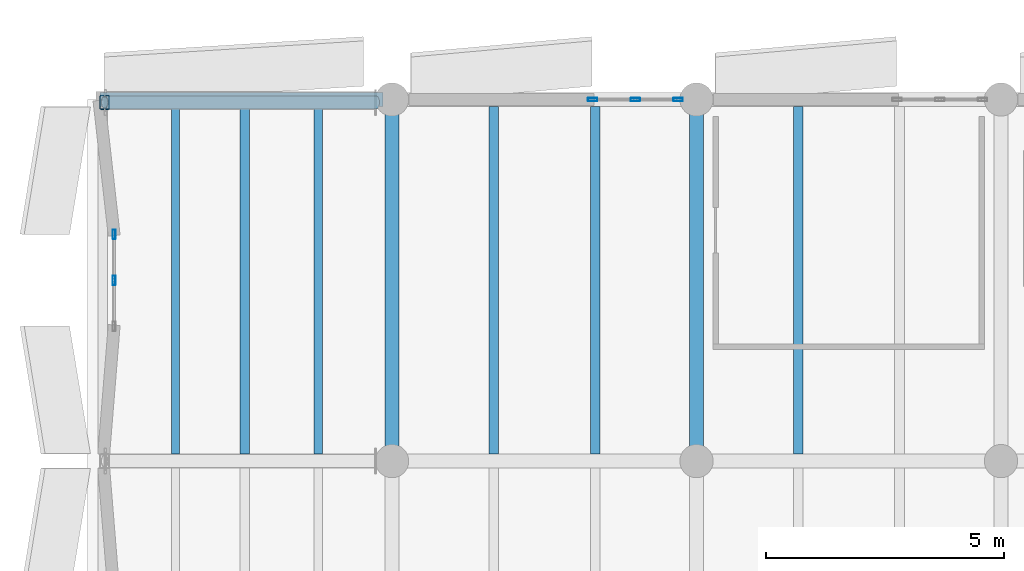
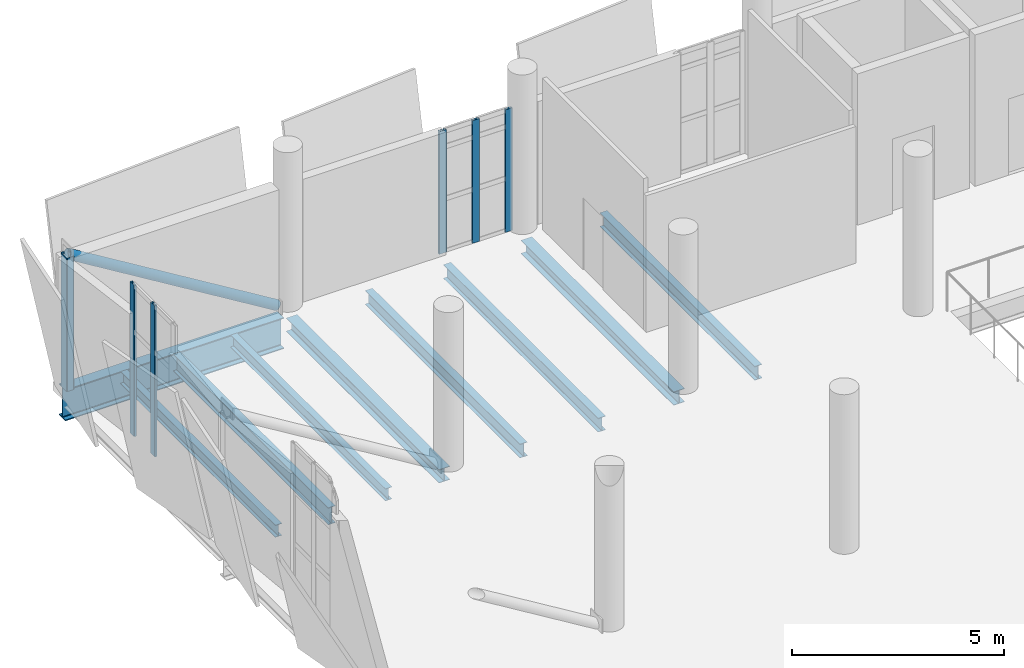
# One storey, part 37 of 136: 9 beams, 7 members, 2 elements without a shape of their own.
"""IFC4 building model written with IfcOpenShell, lengths in metres."""

from ifc_helpers import new_model, si_unit, direction, frame, origin, origin_2d, place, context, subcontext, project, spatial, hollow_rectangle, hollow_circle, i_section, extrude, material, material_profile, profile_set, type_object, element, aggregate, save


model = new_model("IFC4")

# Units and contexts
model_context = context("Model", 3, precision=1e-05, world=origin(), true_north=direction((0.0, 1.0)))
body_context = subcontext(model_context, "Body", "Model", "MODEL_VIEW")
ifc_project = project(units=[si_unit("LENGTHUNIT", "METRE"), si_unit("AREAUNIT", "SQUARE_METRE"), si_unit("VOLUMEUNIT", "CUBIC_METRE"), si_unit("PLANEANGLEUNIT", "RADIAN"), si_unit("MASSUNIT", "GRAM", prefix="KILO")], contexts=[model_context])

# Site, building, storey
site_placement = place(None, origin())
site = spatial("IfcSite", under=ifc_project, at=site_placement, CompositionType="ELEMENT")
building_placement = place(site_placement, origin())
building = spatial("IfcBuilding", under=site, at=building_placement, Name="Shengluoqiao Park Theatre", CompositionType="ELEMENT")
storey_placement = place(building_placement, frame((0.0, 0.0, 10.0)))
storey = spatial("IfcBuildingStorey", under=building, at=storey_placement, Name="L02", CompositionType="ELEMENT", Elevation=10.0)

# Curtain wall, members
ifc_material_1 = material(Name="Aluminium 6063-T6", Category="aluminium")
curtain_wall_type = type_object("IfcCurtainWallType", Name="ENV-CW-FOYER", PredefinedType="NOTDEFINED", material=ifc_material_1)
curtain_wall_1_placement = place(storey_placement, origin())
curtain_wall_1 = element("IfcCurtainWall", 1, at=curtain_wall_1_placement, inside=storey, type_object=curtain_wall_type, Name="L02 Curtain Wall CW-L02-0061", PredefinedType="NOTDEFINED")
ifc_material_profile_1 = material_profile(ifc_material_1, hollow_rectangle(XDim=0.06494140625, YDim=0.199951171875, WallThickness=0.0048828125, InnerFilletRadius=0.0048828125, OuterFilletRadius=0.010009765625, at=origin_2d()), Name="ALU MULLION 200x65x5")
ifc_profile_set_1 = profile_set([ifc_material_profile_1], Name="Aluminium 6063-T6")
member_type_1 = type_object("IfcMemberType", Name="ENV-MUL-200", PredefinedType="MULLION", material=ifc_profile_set_1)
member_1_placement = place(storey_placement, frame((10.618408203125, 76.0, 0.0), z_axis=(0.0, 0.0, 1.0), x_axis=(0.0, 1.0, 0.0)))
member_1 = element("IfcMember", 2, at=member_1_placement, type_object=member_type_1, Name="CW-01 mullion 1", PredefinedType="MULLION", context=body_context, shape_type="SweptSolid", body=[
    extrude(hollow_rectangle(XDim=0.06494140625, YDim=0.199951171875, WallThickness=0.0048828125, InnerFilletRadius=0.0048828125, OuterFilletRadius=0.010009765625, at=origin_2d()), origin(), (0.0, 0.0, 1.0), 3.5380859375),
])
member_2_placement = place(storey_placement, frame((11.51611328125, 76.0, 0.0), z_axis=(0.0, 0.0, 1.0), x_axis=(0.0, 1.0, 0.0)))
member_2 = element("IfcMember", 3, at=member_2_placement, type_object=member_type_1, Name="CW-01 mullion 2", PredefinedType="MULLION", context=body_context, shape_type="SweptSolid", body=[
    extrude(hollow_rectangle(XDim=0.06494140625, YDim=0.199951171875, WallThickness=0.0048828125, InnerFilletRadius=0.0048828125, OuterFilletRadius=0.010009765625, at=origin_2d()), origin(), (0.0, 0.0, 1.0), 3.5380859375),
])
member_3_placement = place(storey_placement, frame((12.41357421875, 76.0, 0.0), z_axis=(0.0, 0.0, 1.0), x_axis=(0.0, 1.0, 0.0)))
member_3 = element("IfcMember", 4, at=member_3_placement, type_object=member_type_1, Name="CW-01 mullion 3", PredefinedType="MULLION", context=body_context, shape_type="SweptSolid", body=[
    extrude(hollow_rectangle(XDim=0.06494140625, YDim=0.199951171875, WallThickness=0.0048828125, InnerFilletRadius=0.0048828125, OuterFilletRadius=0.010009765625, at=origin_2d()), origin(), (0.0, 0.0, 1.0), 3.5380859375),
])
aggregate(curtain_wall_1, [member_1, member_2, member_3])

curtain_wall_2_placement = place(storey_placement, origin())
curtain_wall_2 = element("IfcCurtainWall", 5, at=curtain_wall_2_placement, inside=storey, type_object=curtain_wall_type, Name="L02 Curtain Wall CW-L02-SLIT-0243", PredefinedType="NOTDEFINED")
member_4_placement = place(storey_placement, frame((0.56005859375, 72.199951171875, 0.0), z_axis=(0.0, 0.0, 1.0), x_axis=(-1.0, 0.0, 0.0)))
member_4 = element("IfcMember", 6, at=member_4_placement, type_object=member_type_1, Name="CW-01 mullion 2", PredefinedType="MULLION", context=body_context, shape_type="SweptSolid", body=[
    extrude(hollow_rectangle(XDim=0.06494140625, YDim=0.199951171875, WallThickness=0.0048828125, InnerFilletRadius=0.0048828125, OuterFilletRadius=0.010009765625, at=origin_2d()), origin(), (0.0, 0.0, 1.0), 4.360107421875),
])
member_5_placement = place(storey_placement, frame((0.56005859375, 73.16748046875, 0.0), z_axis=(0.0, 0.0, 1.0), x_axis=(-1.0, 0.0, 0.0)))
member_5 = element("IfcMember", 7, at=member_5_placement, type_object=member_type_1, Name="CW-01 mullion 3", PredefinedType="MULLION", context=body_context, shape_type="SweptSolid", body=[
    extrude(hollow_rectangle(XDim=0.06494140625, YDim=0.199951171875, WallThickness=0.0048828125, InnerFilletRadius=0.0048828125, OuterFilletRadius=0.010009765625, at=origin_2d()), origin(), (0.0, 0.0, 1.0), 4.360107421875),
])
aggregate(curtain_wall_2, [member_4, member_5])

# Beams
ifc_material_2 = material(Name="Steel Q355", Category="steel")
ifc_material_profile_2 = material_profile(ifc_material_2, i_section(OverallWidth=0.300048828125, OverallDepth=0.389892578125, WebThickness=0.010009765625, FlangeThickness=0.01611328125, FilletRadius=0.01806640625, at=origin_2d()), Name="HM 390x300x10x16")
ifc_profile_set_2 = profile_set([ifc_material_profile_2], Name="Steel Q355")
beam_type_1 = type_object("IfcBeamType", Name="STR-BM-G-HM390", PredefinedType="BEAM", material=ifc_profile_set_2)
for number, where, z_axis, x_axis, name in (
    (8, (6.39990234375, 68.593994140625, -0.43505859375), (0.0, 1.0, 0.0), (-1.0, 0.0, 0.0), "L02 Transverse Girder 00947"),
    (9, (12.800048828125, 68.593994140625, -0.43505859375), (0.0, 1.0, 0.0), (-1.0, 0.0, 0.0), "L02 Transverse Girder 00950"),
):
    element("IfcBeam", number, at=place(storey_placement, frame(where, z_axis=z_axis, x_axis=x_axis)), inside=storey, type_object=beam_type_1, Name=name, PredefinedType="BEAM", context=body_context, shape_type="SweptSolid", body=[
        extrude(i_section(OverallWidth=0.300048828125, OverallDepth=0.389892578125, WebThickness=0.010009765625, FlangeThickness=0.01611328125, FilletRadius=0.01806640625, at=origin_2d()), origin(), (0.0, 0.0, 1.0), 7.2119140625),
    ])
ifc_material_3 = material(Name="Steel Q390", Category="steel")
ifc_material_profile_3 = material_profile(ifc_material_3, i_section(OverallWidth=0.300048828125, OverallDepth=0.89990234375, WebThickness=0.01611328125, FlangeThickness=0.028076171875, FilletRadius=0.028076171875, at=origin_2d()), Name="HN 900x300x16x28")
ifc_profile_set_3 = profile_set([ifc_material_profile_3], Name="Steel Q390")
beam_type_2 = type_object("IfcBeamType", Name="STR-BM-G-HN900", PredefinedType="BEAM", material=ifc_profile_set_3)
beam_1_placement = place(storey_placement, frame((0.260009765625, 76.0, -0.68994140625), z_axis=(1.0, 0.0, 0.0), x_axis=(0.0, 1.0, 0.0)))
element("IfcBeam", 10, at=beam_1_placement, inside=storey, type_object=beam_type_2, Name="CT-V5-3 L02 Cantilever Overhang Chord", PredefinedType="BEAM", context=body_context, shape_type="SweptSolid", body=[
    extrude(i_section(OverallWidth=0.300048828125, OverallDepth=0.89990234375, WebThickness=0.01611328125, FlangeThickness=0.028076171875, FilletRadius=0.028076171875, at=origin_2d()), origin(), (0.0, 0.0, 1.0), 5.951904296875),
])
ifc_material_profile_4 = material_profile(ifc_material_2, i_section(OverallWidth=0.175048828125, OverallDepth=0.35009765625, WebThickness=0.007080078125, FlangeThickness=0.010986328125, FilletRadius=0.013916015625, at=origin_2d()), Name="HN 350x175x7x11")
ifc_profile_set_4 = profile_set([ifc_material_profile_4], Name="Steel Q355")
beam_type_3 = type_object("IfcBeamType", Name="STR-BM-J-HN350", PredefinedType="JOIST", material=ifc_profile_set_4)
for number, where, z_axis, x_axis, name in (
    (11, (1.85009765625, 68.5439453125, -0.4150390625), (0.0, 1.0, 0.0), (-1.0, 0.0, 0.0), "V5 L02 Cantilever Joist 00054"),
    (12, (4.85009765625, 68.5439453125, -0.4150390625), (0.0, 1.0, 0.0), (-1.0, 0.0, 0.0), "V5 L02 Cantilever Joist 00057"),
):
    element("IfcBeam", number, at=place(storey_placement, frame(where, z_axis=z_axis, x_axis=x_axis)), inside=storey, type_object=beam_type_3, Name=name, PredefinedType="JOIST", context=body_context, shape_type="SweptSolid", body=[
        extrude(i_section(OverallWidth=0.175048828125, OverallDepth=0.35009765625, WebThickness=0.007080078125, FlangeThickness=0.010986328125, FilletRadius=0.013916015625, at=origin_2d()), origin(), (0.0, 0.0, 1.0), 7.31201171875),
    ])
ifc_material_profile_5 = material_profile(ifc_material_2, i_section(OverallWidth=0.199951171875, OverallDepth=0.39990234375, WebThickness=0.008056640625, FlangeThickness=0.012939453125, FilletRadius=0.01611328125, at=origin_2d()), Name="HN 400x200x8x13")
ifc_profile_set_5 = profile_set([ifc_material_profile_5], Name="Steel Q355")
beam_type_4 = type_object("IfcBeamType", Name="STR-BM-J-HN400", PredefinedType="JOIST", material=ifc_profile_set_5)
for number, where, z_axis, x_axis, name in (
    (13, (8.533203125, 68.544921875, -0.43994140625), (0.0, 1.0, 0.0), (-1.0, 0.0, 0.0), "L02 Composite Joist 00960"),
    (14, (10.666748046875, 68.544921875, -0.43994140625), (0.0, 1.0, 0.0), (-1.0, 0.0, 0.0), "L02 Composite Joist 00961"),
    (15, (14.933349609375, 68.544921875, -0.43994140625), (0.0, 1.0, 0.0), (-1.0, 0.0, 0.0), "L02 Composite Joist 00966"),
):
    element("IfcBeam", number, at=place(storey_placement, frame(where, z_axis=z_axis, x_axis=x_axis)), inside=storey, type_object=beam_type_4, Name=name, PredefinedType="JOIST", context=body_context, shape_type="SweptSolid", body=[
        extrude(i_section(OverallWidth=0.199951171875, OverallDepth=0.39990234375, WebThickness=0.008056640625, FlangeThickness=0.012939453125, FilletRadius=0.01611328125, at=origin_2d()), origin(), (0.0, 0.0, 1.0), 7.31005859375),
    ])
ifc_material_profile_6 = material_profile(ifc_material_2, i_section(OverallWidth=0.198974609375, OverallDepth=0.49609375, WebThickness=0.009033203125, FlangeThickness=0.013916015625, FilletRadius=0.01806640625, at=origin_2d()), Name="HN 496x199x9x14")
ifc_profile_set_6 = profile_set([ifc_material_profile_6], Name="Steel Q355")
beam_type_5 = type_object("IfcBeamType", Name="STR-BM-SP-HN496", PredefinedType="SPANDREL", material=ifc_profile_set_6)
beam_2_placement = place(storey_placement, frame((3.300048828125, 68.5439453125, -0.488037109375), z_axis=(0.0, 1.0, 0.0), x_axis=(-1.0, 0.0, 0.0)))
element("IfcBeam", 16, at=beam_2_placement, inside=storey, type_object=beam_type_5, Name="V5 L02 Cantilever Spandrel 00052", PredefinedType="SPANDREL", context=body_context, shape_type="SweptSolid", body=[
    extrude(i_section(OverallWidth=0.198974609375, OverallDepth=0.49609375, WebThickness=0.009033203125, FlangeThickness=0.013916015625, FilletRadius=0.01806640625, at=origin_2d()), origin(), (0.0, 0.0, 1.0), 7.31201171875),
])

# Members
ifc_material_profile_7 = material_profile(ifc_material_2, hollow_circle(Radius=0.136474609375, WallThickness=0.011962890625, at=origin_2d()), Name="CHS 273x12")
ifc_profile_set_7 = profile_set([ifc_material_profile_7], Name="Steel Q355")
member_type_2 = type_object("IfcMemberType", Name="STR-MEM-BRC-273", PredefinedType="BRACE", material=ifc_profile_set_7)
member_6_placement = place(storey_placement, frame((6.06494140625, 75.93994140625, 0.1201171875), z_axis=(-0.853701498368, 0.0, 0.520762663489), x_axis=(0.0, -1.0, 0.0)))
element("IfcMember", 17, at=member_6_placement, inside=storey, type_object=member_type_2, Name="CT-V5-3 L02 Cantilever Raking Strut", PredefinedType="BRACE", context=body_context, shape_type="SweptSolid", body=[
    extrude(hollow_circle(Radius=0.136474609375, WallThickness=0.011962890625, at=origin_2d()), origin(), (0.0, 0.0, 1.0), 6.682373046875),
])
ifc_material_profile_8 = material_profile(ifc_material_3, hollow_rectangle(XDim=0.199951171875, YDim=0.300048828125, WallThickness=0.011962890625, InnerFilletRadius=0.011962890625, OuterFilletRadius=0.02392578125, at=origin_2d()), Name="RHS 300x200x12")
ifc_profile_set_8 = profile_set([ifc_material_profile_8], Name="Steel Q390")
member_type_3 = type_object("IfcMemberType", Name="STR-MEM-PTR-302", PredefinedType="POST", material=ifc_profile_set_8)
member_7_placement = place(storey_placement, frame((0.360107421875, 75.93994140625, -0.260009765625), z_axis=(0.0, 0.0, 1.0), x_axis=(1.0, 0.0, 0.0)))
element("IfcMember", 18, at=member_7_placement, inside=storey, type_object=member_type_3, Name="CT-V5-3 L02 Cantilever Tip Post", PredefinedType="POST", context=body_context, shape_type="SweptSolid", body=[
    extrude(hollow_rectangle(XDim=0.199951171875, YDim=0.300048828125, WallThickness=0.011962890625, InnerFilletRadius=0.011962890625, OuterFilletRadius=0.02392578125, at=origin_2d()), origin(), (0.0, 0.0, 1.0), 3.840087890625),
])

save(model, "model.ifc")
